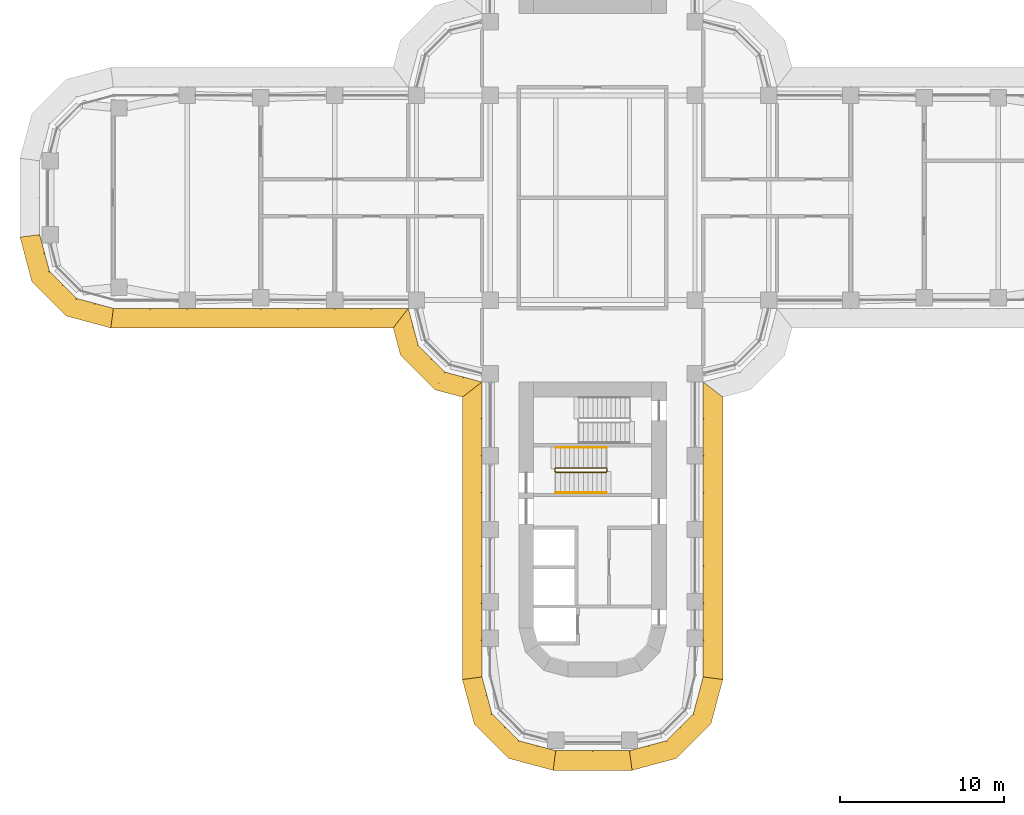
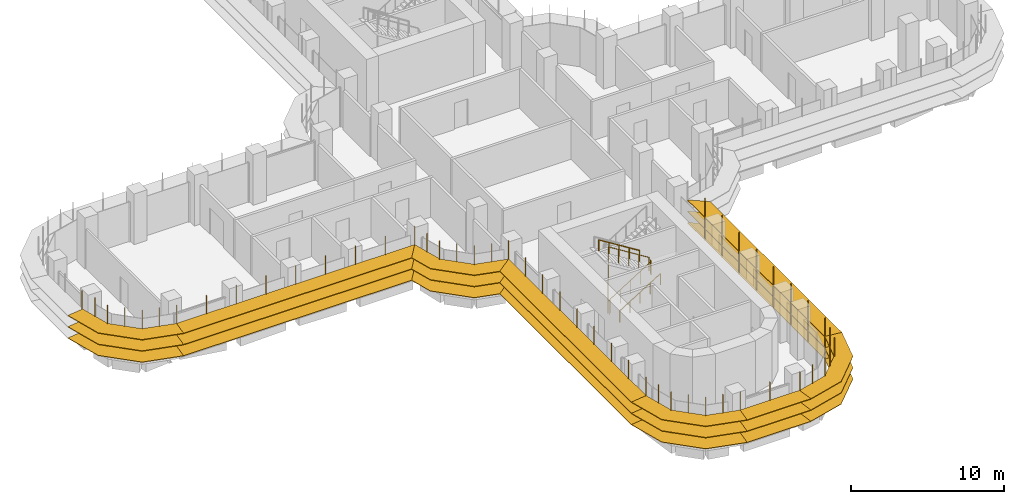
# One storey, part 20 of 23: 8 shading devices, 3 railings.
"""IFC4 building model written with IfcOpenShell, lengths in metres."""

from ifc_helpers import new_model, si_unit, direction, frame, origin, origin_2d, place, context, subcontext, project, spatial, polyline, circle, outline, extrude, faceted_brep, source, transform, mapped, material, type_object, element, save


model = new_model("IFC4")

# Units and contexts
model_context = context("Model", 3, precision=1e-05, world=origin(), true_north=direction((0.0, 1.0)))
body_context = subcontext(model_context, "Body", "Model", "MODEL_VIEW")
ifc_project = project(units=[si_unit("LENGTHUNIT", "METRE"), si_unit("AREAUNIT", "SQUARE_METRE"), si_unit("VOLUMEUNIT", "CUBIC_METRE"), si_unit("PLANEANGLEUNIT", "RADIAN"), si_unit("MASSUNIT", "GRAM", prefix="KILO")], contexts=[model_context])

# Site, building, storey
site_placement = place(None, origin())
site = spatial("IfcSite", under=ifc_project, at=site_placement, CompositionType="ELEMENT")
building_placement = place(site_placement, origin())
building = spatial("IfcBuilding", under=site, at=building_placement, Name="Zarbagh Exchange Tower", CompositionType="ELEMENT")
storey_placement = place(building_placement, frame((0.0, 0.0, 52.199951171875)))
storey = spatial("IfcBuildingStorey", under=building, at=storey_placement, Name="L11", CompositionType="ELEMENT", Elevation=52.199951171875)

# Railings
ifc_material_1 = material(Name="Stainless steel", Category="steel")
railing_type_1 = type_object("IfcRailingType", Name="Stair guard 1100 mm", PredefinedType="GUARDRAIL", material=ifc_material_1)
railing_1_placement = place(storey_placement, frame((0.830078125, -16.5, 2.275146484375)))
element("IfcRailing", 1, at=railing_1_placement, inside=storey, type_object=railing_type_1, Name="ST3 stair guard 1", PredefinedType="GUARDRAIL", context=body_context, shape_type="SweptSolid", body=[
    extrude(circle(Radius=0.02392578125, at=origin_2d()), frame((0.0, 0.0, 1.076171875), z_axis=(-0.848028513186, 0.0, 0.529950602248), x_axis=(0.0, -1.0, 0.0)), (0.0, 0.0, 1.0), 3.632080078125),
    extrude(circle(Radius=0.02392578125, at=origin_2d()), frame((-3.080078125, 0.0, 3.0009765625), z_axis=(-0.011914834358, -0.011914834358, -0.999858026644), x_axis=(0.707106781187, -0.707106781187, 0.0)), (0.0, 0.0, 1.0), 4.200439453125),
    extrude(circle(Radius=0.02392578125, at=origin_2d()), frame((-3.130126953125, -0.050048828125, -1.19921875), z_axis=(0.0, -1.0, 0.0), x_axis=(1.0, 0.0, 0.0)), (0.0, 0.0, 1.0), 0.14990234375),
    extrude(circle(Radius=0.02392578125, at=origin_2d()), frame((-3.130126953125, -0.199951171875, -1.19921875), z_axis=(0.265065253269, -0.265065253269, 0.927081885822), x_axis=(0.707106781187, 0.707106781187, 0.0)), (0.0, 0.0, 1.0), 0.188720703125),
    extrude(circle(Radius=0.02392578125, at=origin_2d()), frame((-3.080078125, -0.25, -1.02392578125), z_axis=(0.847998304005, 0.0, 0.529998940003), x_axis=(0.0, 1.0, 0.0)), (0.0, 0.0, 1.0), 3.632080078125),
    extrude(circle(Radius=0.02392578125, at=origin_2d()), frame((0.0, -0.25, 0.90087890625), z_axis=(0.705375805398, 0.708833529934, 0.0), x_axis=(-0.708833529934, 0.705375805398, 0.0)), (0.0, 0.0, 1.0), 0.070556640625),
    extrude(circle(Radius=0.02392578125, at=origin_2d()), frame((0.0498046875, -0.199951171875, 0.90087890625), z_axis=(0.0, 1.0, 0.0), x_axis=(-1.0, 0.0, 0.0)), (0.0, 0.0, 1.0), 0.14990234375),
    extrude(circle(Radius=0.02099609375, at=origin_2d()), origin(), (0.0, 0.0, 1.0), 1.052001953125),
    extrude(circle(Radius=0.02099609375, at=origin_2d()), frame((-0.77001953125, 0.0, 0.481201171875)), (0.0, 0.0, 1.0), 1.052001953125),
    extrude(circle(Radius=0.02099609375, at=origin_2d()), frame((-1.5400390625, 0.0, 0.96240234375)), (0.0, 0.0, 1.0), 1.052001953125),
    extrude(circle(Radius=0.02099609375, at=origin_2d()), frame((-2.31005859375, 0.0, 1.443603515625)), (0.0, 0.0, 1.0), 1.052001953125),
    extrude(circle(Radius=0.02099609375, at=origin_2d()), frame((-3.080078125, 0.0, 1.9248046875)), (0.0, 0.0, 1.0), 1.052001953125),
    extrude(circle(Radius=0.02099609375, at=origin_2d()), frame((-3.092529296875, -0.012451171875, 0.874755859375)), (0.0, 0.0, 1.0), 1.052001953125),
    extrude(circle(Radius=0.02099609375, at=origin_2d()), frame((-3.10498046875, -0.02490234375, -0.17529296875)), (0.0, 0.0, 1.0), 1.052001953125),
    extrude(circle(Radius=0.02099609375, at=origin_2d()), frame((-3.11767578125, -0.03759765625, -1.22509765625)), (0.0, 0.0, 1.0), 1.052001953125),
    extrude(circle(Radius=0.02099609375, at=origin_2d()), frame((-3.130126953125, -0.050048828125, -2.275146484375)), (0.0, 0.0, 1.0), 1.052001953125),
    extrude(circle(Radius=0.02099609375, at=origin_2d()), frame((-3.130126953125, -0.199951171875, -2.275146484375)), (0.0, 0.0, 1.0), 1.052001953125),
    extrude(circle(Radius=0.02099609375, at=origin_2d()), frame((-3.080078125, -0.25, -2.10009765625)), (0.0, 0.0, 1.0), 1.052001953125),
    extrude(circle(Radius=0.02099609375, at=origin_2d()), frame((-2.31005859375, -0.25, -1.618896484375)), (0.0, 0.0, 1.0), 1.052001953125),
    extrude(circle(Radius=0.02099609375, at=origin_2d()), frame((-1.5400390625, -0.25, -1.1376953125)), (0.0, 0.0, 1.0), 1.052001953125),
    extrude(circle(Radius=0.02099609375, at=origin_2d()), frame((-0.77001953125, -0.25, -0.65625)), (0.0, 0.0, 1.0), 1.052001953125),
    extrude(circle(Radius=0.02099609375, at=origin_2d()), frame((0.0, -0.25, -0.175048828125)), (0.0, 0.0, 1.0), 1.052001953125),
    extrude(circle(Radius=0.02099609375, at=origin_2d()), frame((0.0498046875, -0.199951171875, -0.175048828125)), (0.0, 0.0, 1.0), 1.052001953125),
    extrude(circle(Radius=0.02099609375, at=origin_2d()), frame((0.0498046875, -0.050048828125, -0.175048828125)), (0.0, 0.0, 1.0), 1.052001953125),
])
railing_type_2 = type_object("IfcRailingType", Name="Stair handrail 900 mm", PredefinedType="HANDRAIL", material=ifc_material_1)
railing_2_placement = place(storey_placement, frame((-2.25, -18.0, 0.175048828125)))
element("IfcRailing", 2, at=railing_2_placement, inside=storey, type_object=railing_type_2, Name="ST3 stair handrail 1", PredefinedType="HANDRAIL", context=body_context, shape_type="SweptSolid", body=[
    extrude(circle(Radius=0.02392578125, at=origin_2d()), frame((0.0, 0.0, 0.8759765625), z_axis=(0.847998304005, 0.0, 0.529998940003), x_axis=(0.0, 1.0, 0.0)), (0.0, 0.0, 1.0), 3.632080078125),
    extrude(circle(Radius=0.02099609375, at=origin_2d()), origin(), (0.0, 0.0, 1.0), 0.851806640625),
    extrude(circle(Radius=0.02099609375, at=origin_2d()), frame((0.77001953125, 0.0, 0.481201171875)), (0.0, 0.0, 1.0), 0.851806640625),
    extrude(circle(Radius=0.02099609375, at=origin_2d()), frame((1.5400390625, 0.0, 0.96240234375)), (0.0, 0.0, 1.0), 0.851806640625),
    extrude(circle(Radius=0.02099609375, at=origin_2d()), frame((2.31005859375, 0.0, 1.44384765625)), (0.0, 0.0, 1.0), 0.851806640625),
    extrude(circle(Radius=0.02099609375, at=origin_2d()), frame((3.080078125, 0.0, 1.925048828125)), (0.0, 0.0, 1.0), 0.851806640625),
])
railing_3_placement = place(storey_placement, frame((0.830078125, -15.25, 2.275146484375)))
element("IfcRailing", 3, at=railing_3_placement, inside=storey, type_object=railing_type_2, Name="ST3 stair handrail 2", PredefinedType="HANDRAIL", context=body_context, shape_type="SweptSolid", body=[
    extrude(circle(Radius=0.02392578125, at=origin_2d()), frame((0.0, 0.0, 0.8759765625), z_axis=(-0.848028513186, 0.0, 0.529950602248), x_axis=(0.0, -1.0, 0.0)), (0.0, 0.0, 1.0), 3.632080078125),
    extrude(circle(Radius=0.02099609375, at=origin_2d()), origin(), (0.0, 0.0, 1.0), 0.851806640625),
    extrude(circle(Radius=0.02099609375, at=origin_2d()), frame((-0.77001953125, 0.0, 0.481201171875)), (0.0, 0.0, 1.0), 0.851806640625),
    extrude(circle(Radius=0.02099609375, at=origin_2d()), frame((-1.5400390625, 0.0, 0.96240234375)), (0.0, 0.0, 1.0), 0.851806640625),
    extrude(circle(Radius=0.02099609375, at=origin_2d()), frame((-2.31005859375, 0.0, 1.443603515625)), (0.0, 0.0, 1.0), 0.851806640625),
    extrude(circle(Radius=0.02099609375, at=origin_2d()), frame((-3.080078125, 0.0, 1.9248046875)), (0.0, 0.0, 1.0), 0.851806640625),
])

# Shading devices
ifc_material_2 = material(Name="Anodised aluminium blades and brackets", Category="aluminium")
shading_device_type = type_object("IfcShadingDeviceType", Name="SUNSHADE louvre band, 0 degree blades", PredefinedType="JALOUSIE", material=ifc_material_2)
shared_shape_1 = source(origin(), body_context, "Body", "Brep", [
    faceted_brep([(0.0, 0.0, 0.0), (0.0, 0.0, -0.0400390625), (-0.157958984375, -1.199951171875, -0.0400390625), (-0.157958984375, -1.199951171875, 0.0), (2.65087890625, -1.199951171875, 0.0), (2.65087890625, -1.199951171875, -0.0400390625), (2.329345703125, 0.0, -0.0400390625), (2.329345703125, 0.0, 0.0)], [[[0, 1, 2, 3]], [[4, 5, 6, 7]], [[0, 7, 6, 1]], [[1, 6, 5, 2]], [[2, 5, 4, 3]], [[3, 4, 7, 0]]]),
])
shared_shape_2 = source(origin(), body_context, "Body", "Brep", [
    faceted_brep([(0.0, 0.0, 0.0), (0.0, 0.0, -0.0400390625), (-0.321533203125, -1.199951171875, -0.0400390625), (-0.321533203125, -1.199951171875, 0.0), (2.65087890625, -1.199951171875, 0.0), (2.65087890625, -1.199951171875, -0.0400390625), (2.329345703125, 0.0, -0.0400390625), (2.329345703125, 0.0, 0.0)], [[[0, 1, 2, 3]], [[4, 5, 6, 7]], [[0, 7, 6, 1]], [[1, 6, 5, 2]], [[2, 5, 4, 3]], [[3, 4, 7, 0]]]),
])
shared_shape_3 = source(origin(), body_context, "Body", "Brep", [
    faceted_brep([(0.0, 0.0, 0.0), (0.0, 0.0, -0.0400390625), (-0.321533203125, -1.199951171875, -0.0400390625), (-0.321533203125, -1.199951171875, 0.0), (2.4873046875, -1.199951171875, 0.0), (2.4873046875, -1.199951171875, -0.0400390625), (2.329345703125, 0.0, -0.0400390625), (2.329345703125, 0.0, 0.0)], [[[0, 1, 2, 3]], [[4, 5, 6, 7]], [[0, 7, 6, 1]], [[1, 6, 5, 2]], [[2, 5, 4, 3]], [[3, 4, 7, 0]]]),
])
shared_shape_4 = source(origin(), body_context, "Body", "SweptSolid", [
    extrude(outline(polyline([(0.0, -0.012451171875), (0.06005859375, -0.012451171875), (0.06005859375, 0.012451171875), (0.0, 0.012451171875), (0.0, -0.012451171875)])), origin(), (0.0, 0.0, 1.0), 3.35009765625),
])
placement = place(storey_placement, origin())
element("IfcShadingDevice", 4, at=placement, inside=storey, type_object=shading_device_type, Name="SS01 sunshade band", PredefinedType="JALOUSIE", context=body_context, shape_type="MappedRepresentation", body=[
    mapped(shared_shape_1, transform((2.25, -33.75, 2.699951171875), x_axis=(0.965924289636, 0.258824779902, 0.0), y_axis=(-0.258824779902, 0.965924289636, 0.0), z_axis=(0.0, 0.0, 1.0))),
    mapped(shared_shape_1, transform((2.25, -33.75, 1.800048828125), x_axis=(0.965924289636, 0.258824779902, 0.0), y_axis=(-0.258824779902, 0.965924289636, 0.0), z_axis=(0.0, 0.0, 1.0))),
    mapped(shared_shape_1, transform((2.25, -33.75, 0.900146484375), x_axis=(0.965924289636, 0.258824779902, 0.0), y_axis=(-0.258824779902, 0.965924289636, 0.0), z_axis=(0.0, 0.0, 1.0))),
    mapped(shared_shape_2, transform((4.5, -33.147216796875, 2.699951171875), x_axis=(0.707106781187, 0.707106781187, 0.0), y_axis=(-0.707106781187, 0.707106781187, 0.0), z_axis=(0.0, 0.0, 1.0))),
    mapped(shared_shape_2, transform((4.5, -33.147216796875, 1.800048828125), x_axis=(0.707106781187, 0.707106781187, 0.0), y_axis=(-0.707106781187, 0.707106781187, 0.0), z_axis=(0.0, 0.0, 1.0))),
    mapped(shared_shape_2, transform((4.5, -33.147216796875, 0.900146484375), x_axis=(0.707106781187, 0.707106781187, 0.0), y_axis=(-0.707106781187, 0.707106781187, 0.0), z_axis=(0.0, 0.0, 1.0))),
    mapped(shared_shape_3, transform((6.147216796875, -31.5, 2.699951171875), x_axis=(0.258824779902, 0.965924289636, 0.0), y_axis=(-0.965924289636, 0.258824779902, 0.0), z_axis=(0.0, 0.0, 1.0))),
    mapped(shared_shape_3, transform((6.147216796875, -31.5, 1.800048828125), x_axis=(0.258824779902, 0.965924289636, 0.0), y_axis=(-0.965924289636, 0.258824779902, 0.0), z_axis=(0.0, 0.0, 1.0))),
    mapped(shared_shape_3, transform((6.147216796875, -31.5, 0.900146484375), x_axis=(0.258824779902, 0.965924289636, 0.0), y_axis=(-0.965924289636, 0.258824779902, 0.0), z_axis=(0.0, 0.0, 1.0))),
    mapped(shared_shape_4, transform((2.25, -33.75, 0.830078125), x_axis=(0.130529263012, -0.991444457092, 0.0), y_axis=(0.991444457092, 0.130529263012, 0.0), z_axis=(0.0, 0.0, 1.0))),
    mapped(shared_shape_4, transform((3.375, -33.448486328125, 0.830078125), x_axis=(0.258825058029, -0.96592421511, 0.0), y_axis=(0.96592421511, 0.258825058029, 0.0), z_axis=(0.0, 0.0, 1.0))),
    mapped(shared_shape_4, transform((4.5, -33.147216796875, 0.830078125), x_axis=(0.50000275701, -0.866023812018, 0.0), y_axis=(0.866023812018, 0.50000275701, 0.0), z_axis=(0.0, 0.0, 1.0))),
    mapped(shared_shape_4, transform((5.323486328125, -32.323486328125, 0.830078125), x_axis=(0.707106781187, -0.707106781187, 0.0), y_axis=(0.707106781187, 0.707106781187, 0.0), z_axis=(0.0, 0.0, 1.0))),
    mapped(shared_shape_4, transform((6.147216796875, -31.5, 0.830078125), x_axis=(0.866023812018, -0.50000275701, 0.0), y_axis=(0.50000275701, 0.866023812018, 0.0), z_axis=(0.0, 0.0, 1.0))),
    mapped(shared_shape_4, transform((6.448486328125, -30.375, 0.830078125), x_axis=(0.96592421511, -0.258825058029, 0.0), y_axis=(0.258825058029, 0.96592421511, 0.0), z_axis=(0.0, 0.0, 1.0))),
])
element("IfcShadingDevice", 5, at=placement, inside=storey, type_object=shading_device_type, Name="SS19 sunshade band", PredefinedType="JALOUSIE", context=body_context, shape_type="MappedRepresentation", body=[
    mapped(shared_shape_1, transform((-33.75, -2.25, 2.699951171875), x_axis=(0.258824779902, -0.965924289636, 0.0), y_axis=(0.965924289636, 0.258824779902, 0.0), z_axis=(0.0, 0.0, 1.0))),
    mapped(shared_shape_1, transform((-33.75, -2.25, 1.800048828125), x_axis=(0.258824779902, -0.965924289636, 0.0), y_axis=(0.965924289636, 0.258824779902, 0.0), z_axis=(0.0, 0.0, 1.0))),
    mapped(shared_shape_1, transform((-33.75, -2.25, 0.900146484375), x_axis=(0.258824779902, -0.965924289636, 0.0), y_axis=(0.965924289636, 0.258824779902, 0.0), z_axis=(0.0, 0.0, 1.0))),
    mapped(shared_shape_2, transform((-33.147216796875, -4.5, 2.699951171875), x_axis=(0.707106781187, -0.707106781187, 0.0), y_axis=(0.707106781187, 0.707106781187, 0.0), z_axis=(0.0, 0.0, 1.0))),
    mapped(shared_shape_2, transform((-33.147216796875, -4.5, 1.800048828125), x_axis=(0.707106781187, -0.707106781187, 0.0), y_axis=(0.707106781187, 0.707106781187, 0.0), z_axis=(0.0, 0.0, 1.0))),
    mapped(shared_shape_2, transform((-33.147216796875, -4.5, 0.900146484375), x_axis=(0.707106781187, -0.707106781187, 0.0), y_axis=(0.707106781187, 0.707106781187, 0.0), z_axis=(0.0, 0.0, 1.0))),
    mapped(shared_shape_3, transform((-31.5, -6.147216796875, 2.699951171875), x_axis=(0.965924289636, -0.258824779902, 0.0), y_axis=(0.258824779902, 0.965924289636, 0.0), z_axis=(0.0, 0.0, 1.0))),
    mapped(shared_shape_3, transform((-31.5, -6.147216796875, 1.800048828125), x_axis=(0.965924289636, -0.258824779902, 0.0), y_axis=(0.258824779902, 0.965924289636, 0.0), z_axis=(0.0, 0.0, 1.0))),
    mapped(shared_shape_3, transform((-31.5, -6.147216796875, 0.900146484375), x_axis=(0.965924289636, -0.258824779902, 0.0), y_axis=(0.258824779902, 0.965924289636, 0.0), z_axis=(0.0, 0.0, 1.0))),
    mapped(shared_shape_4, transform((-33.75, -2.25, 0.830078125), x_axis=(-0.991444457092, -0.130529263012, 0.0), y_axis=(0.130529263012, -0.991444457092, 0.0), z_axis=(0.0, 0.0, 1.0))),
    mapped(shared_shape_4, transform((-33.448486328125, -3.375, 0.830078125), x_axis=(-0.96592421511, -0.258825058029, 0.0), y_axis=(0.258825058029, -0.96592421511, 0.0), z_axis=(0.0, 0.0, 1.0))),
    mapped(shared_shape_4, transform((-33.147216796875, -4.5, 0.830078125), x_axis=(-0.866023812018, -0.50000275701, 0.0), y_axis=(0.50000275701, -0.866023812018, 0.0), z_axis=(0.0, 0.0, 1.0))),
    mapped(shared_shape_4, transform((-32.323486328125, -5.323486328125, 0.830078125), x_axis=(-0.707106781187, -0.707106781187, 0.0), y_axis=(0.707106781187, -0.707106781187, 0.0), z_axis=(0.0, 0.0, 1.0))),
    mapped(shared_shape_4, transform((-31.5, -6.147216796875, 0.830078125), x_axis=(-0.50000275701, -0.866023812018, 0.0), y_axis=(0.866023812018, -0.50000275701, 0.0), z_axis=(0.0, 0.0, 1.0))),
    mapped(shared_shape_4, transform((-30.375, -6.448486328125, 0.830078125), x_axis=(-0.258825058029, -0.96592421511, 0.0), y_axis=(0.96592421511, -0.258825058029, 0.0), z_axis=(0.0, 0.0, 1.0))),
])
element("IfcShadingDevice", 6, at=placement, inside=storey, type_object=shading_device_type, Name="SS23 sunshade band", PredefinedType="JALOUSIE", context=body_context, shape_type="MappedRepresentation", body=[
    mapped(shared_shape_1, transform((-6.75, -29.25, 2.699951171875), x_axis=(0.258824779902, -0.965924289636, 0.0), y_axis=(0.965924289636, 0.258824779902, 0.0), z_axis=(0.0, 0.0, 1.0))),
    mapped(shared_shape_1, transform((-6.75, -29.25, 1.800048828125), x_axis=(0.258824779902, -0.965924289636, 0.0), y_axis=(0.965924289636, 0.258824779902, 0.0), z_axis=(0.0, 0.0, 1.0))),
    mapped(shared_shape_1, transform((-6.75, -29.25, 0.900146484375), x_axis=(0.258824779902, -0.965924289636, 0.0), y_axis=(0.965924289636, 0.258824779902, 0.0), z_axis=(0.0, 0.0, 1.0))),
    mapped(shared_shape_2, transform((-6.147216796875, -31.5, 2.699951171875), x_axis=(0.707106781187, -0.707106781187, 0.0), y_axis=(0.707106781187, 0.707106781187, 0.0), z_axis=(0.0, 0.0, 1.0))),
    mapped(shared_shape_2, transform((-6.147216796875, -31.5, 1.800048828125), x_axis=(0.707106781187, -0.707106781187, 0.0), y_axis=(0.707106781187, 0.707106781187, 0.0), z_axis=(0.0, 0.0, 1.0))),
    mapped(shared_shape_2, transform((-6.147216796875, -31.5, 0.900146484375), x_axis=(0.707106781187, -0.707106781187, 0.0), y_axis=(0.707106781187, 0.707106781187, 0.0), z_axis=(0.0, 0.0, 1.0))),
    mapped(shared_shape_3, transform((-4.5, -33.147216796875, 2.699951171875), x_axis=(0.965924289636, -0.258824779902, 0.0), y_axis=(0.258824779902, 0.965924289636, 0.0), z_axis=(0.0, 0.0, 1.0))),
    mapped(shared_shape_3, transform((-4.5, -33.147216796875, 1.800048828125), x_axis=(0.965924289636, -0.258824779902, 0.0), y_axis=(0.258824779902, 0.965924289636, 0.0), z_axis=(0.0, 0.0, 1.0))),
    mapped(shared_shape_3, transform((-4.5, -33.147216796875, 0.900146484375), x_axis=(0.965924289636, -0.258824779902, 0.0), y_axis=(0.258824779902, 0.965924289636, 0.0), z_axis=(0.0, 0.0, 1.0))),
    mapped(shared_shape_4, transform((-6.75, -29.25, 0.830078125), x_axis=(-0.991444457092, -0.130529263012, 0.0), y_axis=(0.130529263012, -0.991444457092, 0.0), z_axis=(0.0, 0.0, 1.0))),
    mapped(shared_shape_4, transform((-6.448486328125, -30.375, 0.830078125), x_axis=(-0.96592421511, -0.258825058029, 0.0), y_axis=(0.258825058029, -0.96592421511, 0.0), z_axis=(0.0, 0.0, 1.0))),
    mapped(shared_shape_4, transform((-6.147216796875, -31.5, 0.830078125), x_axis=(-0.866023812018, -0.50000275701, 0.0), y_axis=(0.50000275701, -0.866023812018, 0.0), z_axis=(0.0, 0.0, 1.0))),
    mapped(shared_shape_4, transform((-5.323486328125, -32.323486328125, 0.830078125), x_axis=(-0.707106781187, -0.707106781187, 0.0), y_axis=(0.707106781187, -0.707106781187, 0.0), z_axis=(0.0, 0.0, 1.0))),
    mapped(shared_shape_4, transform((-4.5, -33.147216796875, 0.830078125), x_axis=(-0.50000275701, -0.866023812018, 0.0), y_axis=(0.866023812018, -0.50000275701, 0.0), z_axis=(0.0, 0.0, 1.0))),
    mapped(shared_shape_4, transform((-3.375, -33.448486328125, 0.830078125), x_axis=(-0.258825058029, -0.96592421511, 0.0), y_axis=(0.96592421511, -0.258825058029, 0.0), z_axis=(0.0, 0.0, 1.0))),
])
shared_shape_5 = source(origin(), body_context, "Body", "Brep", [
    faceted_brep([(0.0, 0.0, 0.0), (0.0, 0.0, -0.0400390625), (0.9208984375, -1.199951171875, -0.0400390625), (0.9208984375, -1.199951171875, 0.0), (2.65087890625, -1.199951171875, 0.0), (2.65087890625, -1.199951171875, -0.0400390625), (2.329345703125, 0.0, -0.0400390625), (2.329345703125, 0.0, 0.0)], [[[0, 1, 2, 3]], [[4, 5, 6, 7]], [[0, 7, 6, 1]], [[1, 6, 5, 2]], [[2, 5, 4, 3]], [[3, 4, 7, 0]]]),
])
shared_shape_6 = source(origin(), body_context, "Body", "Brep", [
    faceted_brep([(0.0, 0.0, 0.0), (0.0, 0.0, -0.0400390625), (-0.321533203125, -1.199951171875, -0.0400390625), (-0.321533203125, -1.199951171875, 0.0), (1.40869140625, -1.199951171875, 0.0), (1.40869140625, -1.199951171875, -0.0400390625), (2.329345703125, 0.0, -0.0400390625), (2.329345703125, 0.0, 0.0)], [[[0, 1, 2, 3]], [[4, 5, 6, 7]], [[0, 7, 6, 1]], [[1, 6, 5, 2]], [[2, 5, 4, 3]], [[3, 4, 7, 0]]]),
])
element("IfcShadingDevice", 7, at=placement, inside=storey, type_object=shading_device_type, Name="SS21 sunshade band", PredefinedType="JALOUSIE", context=body_context, shape_type="MappedRepresentation", body=[
    mapped(shared_shape_5, transform((-11.25, -6.75, 2.699951171875), x_axis=(0.258824779902, -0.965924289636, 0.0), y_axis=(0.965924289636, 0.258824779902, 0.0), z_axis=(0.0, 0.0, 1.0))),
    mapped(shared_shape_5, transform((-11.25, -6.75, 1.800048828125), x_axis=(0.258824779902, -0.965924289636, 0.0), y_axis=(0.965924289636, 0.258824779902, 0.0), z_axis=(0.0, 0.0, 1.0))),
    mapped(shared_shape_5, transform((-11.25, -6.75, 0.900146484375), x_axis=(0.258824779902, -0.965924289636, 0.0), y_axis=(0.965924289636, 0.258824779902, 0.0), z_axis=(0.0, 0.0, 1.0))),
    mapped(shared_shape_2, transform((-10.647216796875, -9.0, 2.699951171875), x_axis=(0.707106781187, -0.707106781187, 0.0), y_axis=(0.707106781187, 0.707106781187, 0.0), z_axis=(0.0, 0.0, 1.0))),
    mapped(shared_shape_2, transform((-10.647216796875, -9.0, 1.800048828125), x_axis=(0.707106781187, -0.707106781187, 0.0), y_axis=(0.707106781187, 0.707106781187, 0.0), z_axis=(0.0, 0.0, 1.0))),
    mapped(shared_shape_2, transform((-10.647216796875, -9.0, 0.900146484375), x_axis=(0.707106781187, -0.707106781187, 0.0), y_axis=(0.707106781187, 0.707106781187, 0.0), z_axis=(0.0, 0.0, 1.0))),
    mapped(shared_shape_6, transform((-9.0, -10.647216796875, 2.699951171875), x_axis=(0.965924289636, -0.258824779902, 0.0), y_axis=(0.258824779902, 0.965924289636, 0.0), z_axis=(0.0, 0.0, 1.0))),
    mapped(shared_shape_6, transform((-9.0, -10.647216796875, 1.800048828125), x_axis=(0.965924289636, -0.258824779902, 0.0), y_axis=(0.258824779902, 0.965924289636, 0.0), z_axis=(0.0, 0.0, 1.0))),
    mapped(shared_shape_6, transform((-9.0, -10.647216796875, 0.900146484375), x_axis=(0.965924289636, -0.258824779902, 0.0), y_axis=(0.258824779902, 0.965924289636, 0.0), z_axis=(0.0, 0.0, 1.0))),
    mapped(shared_shape_4, transform((-11.25, -6.75, 0.830078125), x_axis=(-0.608758892, -0.793355287, 0.0), y_axis=(0.793355287, -0.608758892, 0.0), z_axis=(0.0, 0.0, 1.0))),
    mapped(shared_shape_4, transform((-10.948486328125, -7.875, 0.830078125), x_axis=(-0.96592421511, -0.258825058029, 0.0), y_axis=(0.258825058029, -0.96592421511, 0.0), z_axis=(0.0, 0.0, 1.0))),
    mapped(shared_shape_4, transform((-10.647216796875, -9.0, 0.830078125), x_axis=(-0.866023812018, -0.50000275701, 0.0), y_axis=(0.50000275701, -0.866023812018, 0.0), z_axis=(0.0, 0.0, 1.0))),
    mapped(shared_shape_4, transform((-9.823486328125, -9.823486328125, 0.830078125), x_axis=(-0.707106781187, -0.707106781187, 0.0), y_axis=(0.707106781187, -0.707106781187, 0.0), z_axis=(0.0, 0.0, 1.0))),
    mapped(shared_shape_4, transform((-9.0, -10.647216796875, 0.830078125), x_axis=(-0.50000275701, -0.866023812018, 0.0), y_axis=(0.866023812018, -0.50000275701, 0.0), z_axis=(0.0, 0.0, 1.0))),
    mapped(shared_shape_4, transform((-7.875, -10.948486328125, 0.830078125), x_axis=(-0.258825058029, -0.96592421511, 0.0), y_axis=(0.96592421511, -0.258825058029, 0.0), z_axis=(0.0, 0.0, 1.0))),
])
shared_shape_7 = source(origin(), body_context, "Body", "Brep", [
    faceted_brep([(0.0, 0.0, 0.0), (0.0, 0.0, -0.0400390625), (-0.157958984375, -1.199951171875, -0.0400390625), (-0.157958984375, -1.199951171875, 0.0), (17.0791015625, -1.199951171875, 0.0), (17.0791015625, -1.199951171875, -0.0400390625), (18.0, 0.0, -0.0400390625), (18.0, 0.0, 0.0)], [[[0, 1, 2, 3]], [[4, 5, 6, 7]], [[0, 7, 6, 1]], [[1, 6, 5, 2]], [[2, 5, 4, 3]], [[3, 4, 7, 0]]]),
])
element("IfcShadingDevice", 8, at=placement, inside=storey, type_object=shading_device_type, Name="SS02 sunshade band", PredefinedType="JALOUSIE", context=body_context, shape_type="MappedRepresentation", body=[
    mapped(shared_shape_7, transform((6.75, -29.25, 2.699951171875), x_axis=(0.0, 1.0, 0.0), y_axis=(-1.0, 0.0, 0.0), z_axis=(0.0, 0.0, 1.0))),
    mapped(shared_shape_7, transform((6.75, -29.25, 1.800048828125), x_axis=(0.0, 1.0, 0.0), y_axis=(-1.0, 0.0, 0.0), z_axis=(0.0, 0.0, 1.0))),
    mapped(shared_shape_7, transform((6.75, -29.25, 0.900146484375), x_axis=(0.0, 1.0, 0.0), y_axis=(-1.0, 0.0, 0.0), z_axis=(0.0, 0.0, 1.0))),
    mapped(shared_shape_4, transform((6.75, -29.25, 0.830078125), x_axis=(0.991444457092, -0.130529263012, 0.0), y_axis=(0.130529263012, 0.991444457092, 0.0), z_axis=(0.0, 0.0, 1.0))),
    mapped(shared_shape_4, transform((6.75, -27.0, 0.830078125), x_axis=(1.0, 0.0, 0.0), y_axis=(0.0, 1.0, 0.0), z_axis=(0.0, 0.0, 1.0))),
    mapped(shared_shape_4, transform((6.75, -24.75, 0.830078125), x_axis=(1.0, 0.0, 0.0), y_axis=(0.0, 1.0, 0.0), z_axis=(0.0, 0.0, 1.0))),
    mapped(shared_shape_4, transform((6.75, -22.5, 0.830078125), x_axis=(1.0, 0.0, 0.0), y_axis=(0.0, 1.0, 0.0), z_axis=(0.0, 0.0, 1.0))),
    mapped(shared_shape_4, transform((6.75, -20.25, 0.830078125), x_axis=(1.0, 0.0, 0.0), y_axis=(0.0, 1.0, 0.0), z_axis=(0.0, 0.0, 1.0))),
    mapped(shared_shape_4, transform((6.75, -18.0, 0.830078125), x_axis=(1.0, 0.0, 0.0), y_axis=(0.0, 1.0, 0.0), z_axis=(0.0, 0.0, 1.0))),
    mapped(shared_shape_4, transform((6.75, -15.75, 0.830078125), x_axis=(1.0, 0.0, 0.0), y_axis=(0.0, 1.0, 0.0), z_axis=(0.0, 0.0, 1.0))),
    mapped(shared_shape_4, transform((6.75, -13.5, 0.830078125), x_axis=(1.0, 0.0, 0.0), y_axis=(0.0, 1.0, 0.0), z_axis=(0.0, 0.0, 1.0))),
])
element("IfcShadingDevice", 9, at=placement, inside=storey, type_object=shading_device_type, Name="SS20 sunshade band", PredefinedType="JALOUSIE", context=body_context, shape_type="MappedRepresentation", body=[
    mapped(shared_shape_7, transform((-29.25, -6.75, 2.699951171875), x_axis=(1.0, 0.0, 0.0), y_axis=(0.0, 1.0, 0.0), z_axis=(0.0, 0.0, 1.0))),
    mapped(shared_shape_7, transform((-29.25, -6.75, 1.800048828125), x_axis=(1.0, 0.0, 0.0), y_axis=(0.0, 1.0, 0.0), z_axis=(0.0, 0.0, 1.0))),
    mapped(shared_shape_7, transform((-29.25, -6.75, 0.900146484375), x_axis=(1.0, 0.0, 0.0), y_axis=(0.0, 1.0, 0.0), z_axis=(0.0, 0.0, 1.0))),
    mapped(shared_shape_4, transform((-29.25, -6.75, 0.830078125), x_axis=(-0.130529263012, -0.991444457092, 0.0), y_axis=(0.991444457092, -0.130529263012, 0.0), z_axis=(0.0, 0.0, 1.0))),
    mapped(shared_shape_4, transform((-27.0, -6.75, 0.830078125), x_axis=(0.0, -1.0, 0.0), y_axis=(1.0, 0.0, 0.0), z_axis=(0.0, 0.0, 1.0))),
    mapped(shared_shape_4, transform((-24.75, -6.75, 0.830078125), x_axis=(0.0, -1.0, 0.0), y_axis=(1.0, 0.0, 0.0), z_axis=(0.0, 0.0, 1.0))),
    mapped(shared_shape_4, transform((-22.5, -6.75, 0.830078125), x_axis=(0.0, -1.0, 0.0), y_axis=(1.0, 0.0, 0.0), z_axis=(0.0, 0.0, 1.0))),
    mapped(shared_shape_4, transform((-20.25, -6.75, 0.830078125), x_axis=(0.0, -1.0, 0.0), y_axis=(1.0, 0.0, 0.0), z_axis=(0.0, 0.0, 1.0))),
    mapped(shared_shape_4, transform((-18.0, -6.75, 0.830078125), x_axis=(0.0, -1.0, 0.0), y_axis=(1.0, 0.0, 0.0), z_axis=(0.0, 0.0, 1.0))),
    mapped(shared_shape_4, transform((-15.75, -6.75, 0.830078125), x_axis=(0.0, -1.0, 0.0), y_axis=(1.0, 0.0, 0.0), z_axis=(0.0, 0.0, 1.0))),
    mapped(shared_shape_4, transform((-13.5, -6.75, 0.830078125), x_axis=(0.0, -1.0, 0.0), y_axis=(1.0, 0.0, 0.0), z_axis=(0.0, 0.0, 1.0))),
])
shared_shape_8 = source(origin(), body_context, "Body", "Brep", [
    faceted_brep([(0.0, 0.0, 0.0), (0.0, 0.0, -0.0400390625), (0.9208984375, -1.199951171875, -0.0400390625), (0.9208984375, -1.199951171875, 0.0), (18.157958984375, -1.199951171875, 0.0), (18.157958984375, -1.199951171875, -0.0400390625), (18.0, 0.0, -0.0400390625), (18.0, 0.0, 0.0)], [[[0, 1, 2, 3]], [[4, 5, 6, 7]], [[0, 7, 6, 1]], [[1, 6, 5, 2]], [[2, 5, 4, 3]], [[3, 4, 7, 0]]]),
])
element("IfcShadingDevice", 10, at=placement, inside=storey, type_object=shading_device_type, Name="SS22 sunshade band", PredefinedType="JALOUSIE", context=body_context, shape_type="MappedRepresentation", body=[
    mapped(shared_shape_8, transform((-6.75, -11.25, 2.699951171875), x_axis=(0.0, -1.0, 0.0), y_axis=(1.0, 0.0, 0.0), z_axis=(0.0, 0.0, 1.0))),
    mapped(shared_shape_8, transform((-6.75, -11.25, 1.800048828125), x_axis=(0.0, -1.0, 0.0), y_axis=(1.0, 0.0, 0.0), z_axis=(0.0, 0.0, 1.0))),
    mapped(shared_shape_8, transform((-6.75, -11.25, 0.900146484375), x_axis=(0.0, -1.0, 0.0), y_axis=(1.0, 0.0, 0.0), z_axis=(0.0, 0.0, 1.0))),
    mapped(shared_shape_4, transform((-6.75, -11.25, 0.830078125), x_axis=(-0.793355287, -0.608758892, 0.0), y_axis=(0.608758892, -0.793355287, 0.0), z_axis=(0.0, 0.0, 1.0))),
    mapped(shared_shape_4, transform((-6.75, -13.5, 0.830078125), x_axis=(-1.0, 0.0, 0.0), y_axis=(0.0, -1.0, 0.0), z_axis=(0.0, 0.0, 1.0))),
    mapped(shared_shape_4, transform((-6.75, -15.75, 0.830078125), x_axis=(-1.0, 0.0, 0.0), y_axis=(0.0, -1.0, 0.0), z_axis=(0.0, 0.0, 1.0))),
    mapped(shared_shape_4, transform((-6.75, -18.0, 0.830078125), x_axis=(-1.0, 0.0, 0.0), y_axis=(0.0, -1.0, 0.0), z_axis=(0.0, 0.0, 1.0))),
    mapped(shared_shape_4, transform((-6.75, -20.25, 0.830078125), x_axis=(-1.0, 0.0, 0.0), y_axis=(0.0, -1.0, 0.0), z_axis=(0.0, 0.0, 1.0))),
    mapped(shared_shape_4, transform((-6.75, -22.5, 0.830078125), x_axis=(-1.0, 0.0, 0.0), y_axis=(0.0, -1.0, 0.0), z_axis=(0.0, 0.0, 1.0))),
    mapped(shared_shape_4, transform((-6.75, -24.75, 0.830078125), x_axis=(-1.0, 0.0, 0.0), y_axis=(0.0, -1.0, 0.0), z_axis=(0.0, 0.0, 1.0))),
    mapped(shared_shape_4, transform((-6.75, -27.0, 0.830078125), x_axis=(-1.0, 0.0, 0.0), y_axis=(0.0, -1.0, 0.0), z_axis=(0.0, 0.0, 1.0))),
])
shared_shape_9 = source(origin(), body_context, "Body", "Brep", [
    faceted_brep([(0.0, 0.0, 0.0), (0.0, 0.0, -0.0400390625), (-0.157958984375, -1.199951171875, -0.0400390625), (-0.157958984375, -1.199951171875, 0.0), (4.657958984375, -1.199951171875, 0.0), (4.657958984375, -1.199951171875, -0.0400390625), (4.5, 0.0, -0.0400390625), (4.5, 0.0, 0.0)], [[[0, 1, 2, 3]], [[4, 5, 6, 7]], [[0, 7, 6, 1]], [[1, 6, 5, 2]], [[2, 5, 4, 3]], [[3, 4, 7, 0]]]),
])
element("IfcShadingDevice", 11, at=placement, inside=storey, type_object=shading_device_type, Name="SS24 sunshade band", PredefinedType="JALOUSIE", context=body_context, shape_type="MappedRepresentation", body=[
    mapped(shared_shape_9, transform((-2.25, -33.75, 2.699951171875), x_axis=(1.0, 0.0, 0.0), y_axis=(0.0, 1.0, 0.0), z_axis=(0.0, 0.0, 1.0))),
    mapped(shared_shape_9, transform((-2.25, -33.75, 1.800048828125), x_axis=(1.0, 0.0, 0.0), y_axis=(0.0, 1.0, 0.0), z_axis=(0.0, 0.0, 1.0))),
    mapped(shared_shape_9, transform((-2.25, -33.75, 0.900146484375), x_axis=(1.0, 0.0, 0.0), y_axis=(0.0, 1.0, 0.0), z_axis=(0.0, 0.0, 1.0))),
    mapped(shared_shape_4, transform((-2.25, -33.75, 0.830078125), x_axis=(-0.130529263012, -0.991444457092, 0.0), y_axis=(0.991444457092, -0.130529263012, 0.0), z_axis=(0.0, 0.0, 1.0))),
    mapped(shared_shape_4, transform((0.0, -33.75, 0.830078125), x_axis=(0.0, -1.0, 0.0), y_axis=(1.0, 0.0, 0.0), z_axis=(0.0, 0.0, 1.0))),
])

save(model, "model.ifc")
